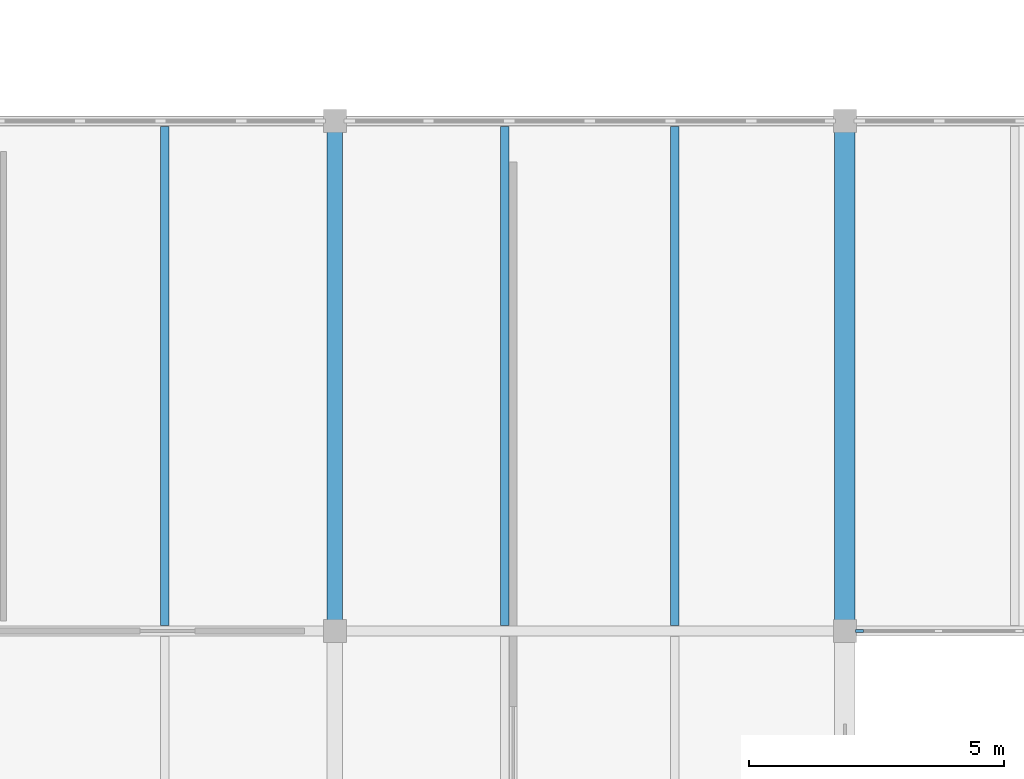
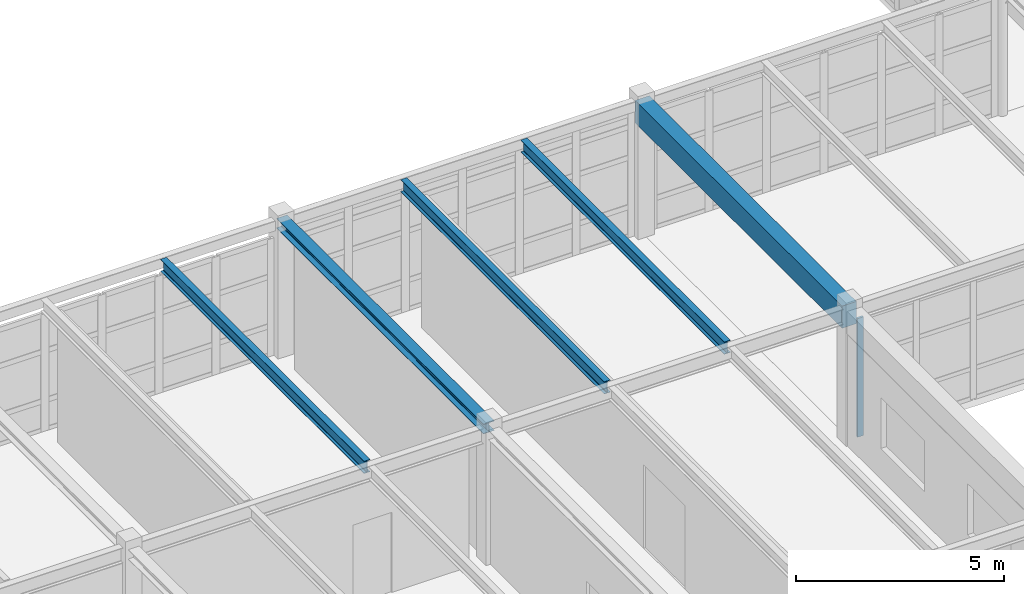
# One storey, part 35 of 122: 5 beams, 1 member, 1 element without a shape of its own.
"""IFC4 building model written with IfcOpenShell, lengths in metres."""

from ifc_helpers import new_model, si_unit, direction, frame, origin, origin_2d, place, context, subcontext, project, spatial, rectangle, i_section, extrude, material, layer, layer_set, material_profile, profile_set, type_object, element, aggregate, save


model = new_model("IFC4")

# Units and contexts
model_context = context("Model", 3, precision=1e-05, world=origin(), true_north=direction((0.0, 1.0)))
body_context = subcontext(model_context, "Body", "Model", "MODEL_VIEW")
ifc_project = project(units=[si_unit("LENGTHUNIT", "METRE"), si_unit("AREAUNIT", "SQUARE_METRE"), si_unit("VOLUMEUNIT", "CUBIC_METRE"), si_unit("PLANEANGLEUNIT", "RADIAN"), si_unit("MASSUNIT", "GRAM", prefix="KILO"), si_unit("THERMODYNAMICTEMPERATUREUNIT", "KELVIN"), si_unit("POWERUNIT", "WATT")], contexts=[model_context])

# Site, building, storey
site_placement = place(None, origin())
site = spatial("IfcSite", under=ifc_project, at=site_placement, CompositionType="ELEMENT")
building_placement = place(site_placement, origin())
building = spatial("IfcBuilding", under=site, at=building_placement, Name="Korenveer Ferry Terminal", CompositionType="ELEMENT")
storey_placement = place(building_placement, frame((0.0, 0.0, 10.199951171875)))
storey = spatial("IfcBuildingStorey", under=building, at=storey_placement, Name="L02", CompositionType="ELEMENT", Elevation=10.199951171875)

# Curtain wall, member
ifc_material_1 = material(Name="Unitised bronze-and-glass curtain wall", Category="glass")
ifc_layer = layer(ifc_material_1, 0.159912109375)
ifc_layer_set = layer_set([ifc_layer], Name="Unitised bronze-and-glass curtain wall")
curtain_wall_type = type_object("IfcCurtainWallType", Name="ENV-CW-89", PredefinedType="USERDEFINED", material=ifc_layer_set)
curtain_wall_placement = place(storey_placement, frame((30.2548828125, 70.0, 0.0)))
curtain_wall = element("IfcCurtainWall", 1, at=curtain_wall_placement, inside=storey, type_object=curtain_wall_type, Name="Lancet curtain wall CWX-L02-X30-40-Y70-70", ObjectType="UNITISED CURTAIN WALL", PredefinedType="USERDEFINED")
ifc_material_2 = material(Name="Anodised bronze aluminium", Category="aluminium")
ifc_material_profile_1 = material_profile(ifc_material_2, rectangle(XDim=0.06005859375, YDim=0.159912109375, at=origin_2d()), Name="ALU 60x160")
ifc_profile_set_1 = profile_set([ifc_material_profile_1], Name="Anodised bronze aluminium")
member_type = type_object("IfcMemberType", Name="ENV-CWM-60X160", PredefinedType="MULLION", material=ifc_profile_set_1)
member_placement = place(storey_placement, frame((30.284912109375, 70.0, 0.0), z_axis=(0.0, 0.0, 1.0), x_axis=(0.0, 1.0, 0.0)))
member = element("IfcMember", 2, at=member_placement, type_object=member_type, Name="CW-89 mullion 1", PredefinedType="MULLION", context=body_context, shape_type="SweptSolid", body=[
    extrude(rectangle(XDim=0.06005859375, YDim=0.159912109375, at=origin_2d()), origin(), (0.0, 0.0, 1.0), 3.47998046875),
])
aggregate(curtain_wall, [member])

# Beams
ifc_material_3 = material(Name="Steel S355", Category="steel")
ifc_material_profile_2 = material_profile(ifc_material_3, i_section(OverallWidth=0.300048828125, OverallDepth=0.2900390625, WebThickness=0.008544921875, FlangeThickness=0.013916015625, FilletRadius=0.027099609375, at=origin_2d()), Name="HEA 300")
ifc_profile_set_2 = profile_set([ifc_material_profile_2], Name="Steel S355")
beam_type_1 = type_object("IfcBeamType", Name="STR-BM-HEA300", PredefinedType="BEAM", material=ifc_profile_set_2)
beam_1_placement = place(storey_placement, frame((20.0, 70.02001953125, 3.8349609375), z_axis=(0.0, 1.0, 0.0), x_axis=(-1.0, 0.0, 0.0)))
element("IfcBeam", 3, at=beam_1_placement, inside=storey, type_object=beam_type_1, Name="Primary Y girder BMY-L03-X20-Y70-80", PredefinedType="BEAM", context=body_context, shape_type="SweptSolid", body=[
    extrude(i_section(OverallWidth=0.300048828125, OverallDepth=0.2900390625, WebThickness=0.008544921875, FlangeThickness=0.013916015625, FilletRadius=0.027099609375, at=origin_2d()), origin(), (0.0, 0.0, 1.0), 9.9599609375),
])
ifc_material_4 = material(Name="Concrete C40/50", Category="concrete")
ifc_material_profile_3 = material_profile(ifc_material_4, rectangle(XDim=0.39990234375, YDim=0.64990234375, at=origin_2d()), Name="RC 400x650")
ifc_profile_set_3 = profile_set([ifc_material_profile_3], Name="Concrete C40/50")
beam_type_2 = type_object("IfcBeamType", Name="STR-BM-RC400X650", PredefinedType="BEAM", material=ifc_profile_set_3)
beam_2_placement = place(storey_placement, frame((30.0, 70.02001953125, 3.635009765625), z_axis=(0.0, 1.0, 0.0), x_axis=(-1.0, 0.0, 0.0)))
element("IfcBeam", 4, at=beam_2_placement, inside=storey, type_object=beam_type_2, Name="Primary Y girder BMY-L03-X30-Y70-80", PredefinedType="BEAM", context=body_context, shape_type="SweptSolid", body=[
    extrude(rectangle(XDim=0.39990234375, YDim=0.64990234375, at=origin_2d()), origin(), (0.0, 0.0, 1.0), 9.9599609375),
])
ifc_material_profile_4 = material_profile(ifc_material_3, i_section(OverallWidth=0.169921875, OverallDepth=0.360107421875, WebThickness=0.008056640625, FlangeThickness=0.0126953125, FilletRadius=0.01806640625, at=origin_2d()), Name="IPE 360")
ifc_profile_set_4 = profile_set([ifc_material_profile_4], Name="Steel S355")
beam_type_3 = type_object("IfcBeamType", Name="STR-JST-IPE360", PredefinedType="JOIST", material=ifc_profile_set_4)
for number, where, z_axis, x_axis, name in (
    (5, (16.666748046875, 70.10498046875, 3.800048828125), (0.0, 1.0, 0.0), (-1.0, 0.0, 0.0), "Secondary composite joist JST-L03-X167-Y70-80"),
    (6, (23.333251953125, 70.10498046875, 3.800048828125), (0.0, 1.0, 0.0), (-1.0, 0.0, 0.0), "Secondary composite joist JST-L03-X233-Y70-80"),
    (7, (26.666748046875, 70.10498046875, 3.800048828125), (0.0, 1.0, 0.0), (-1.0, 0.0, 0.0), "Secondary composite joist JST-L03-X267-Y70-80"),
):
    element("IfcBeam", number, at=place(storey_placement, frame(where, z_axis=z_axis, x_axis=x_axis)), inside=storey, type_object=beam_type_3, Name=name, PredefinedType="JOIST", context=body_context, shape_type="SweptSolid", body=[
        extrude(i_section(OverallWidth=0.169921875, OverallDepth=0.360107421875, WebThickness=0.008056640625, FlangeThickness=0.0126953125, FilletRadius=0.01806640625, at=origin_2d()), origin(), (0.0, 0.0, 1.0), 9.784912109375),
    ])

save(model, "model.ifc")
